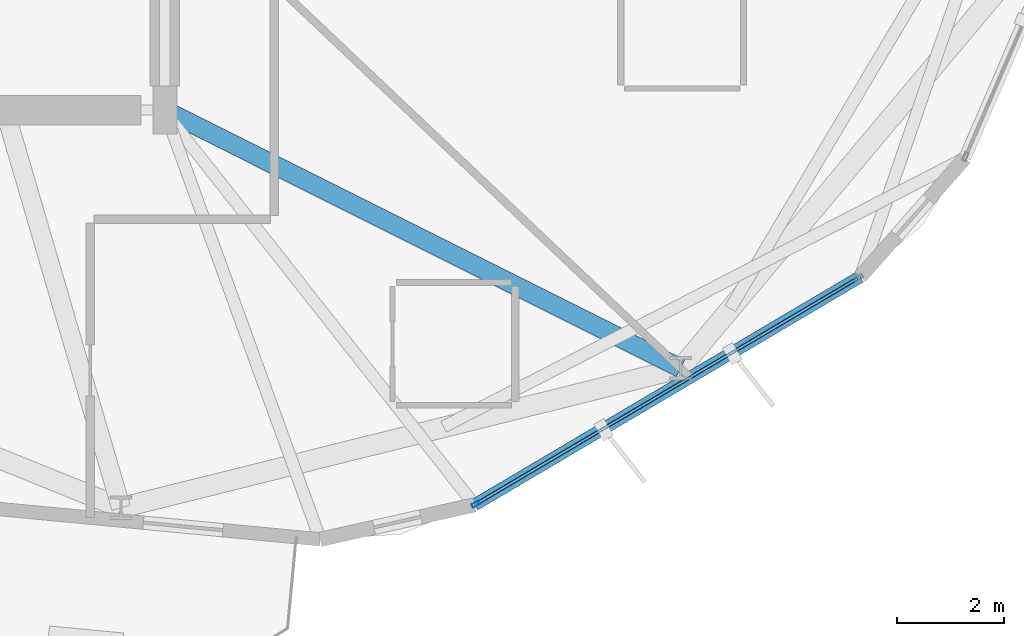
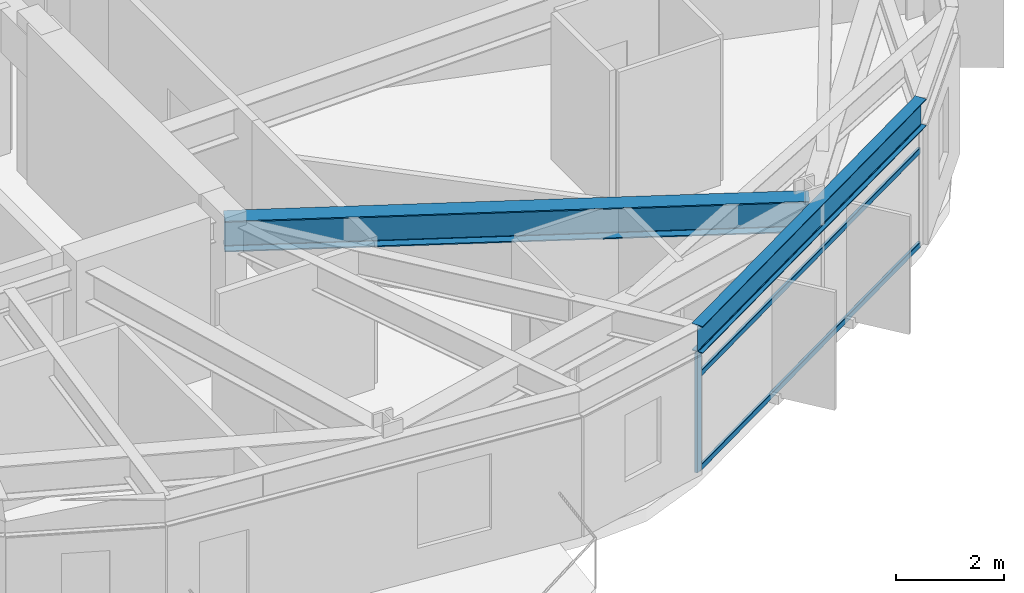
# One storey, part 4 of 21: 4 members, 2 beams, 1 element without a shape of its own.
"""IFC4 building model written with IfcOpenShell, lengths in metres."""

from ifc_helpers import new_model, si_unit, direction, frame, origin, origin_2d, place, context, subcontext, project, spatial, hollow_rectangle, i_section, extrude, material, layer, layer_set, material_profile, profile_set, type_object, element, aggregate, save


model = new_model("IFC4")

# Units and contexts
model_context = context("Model", 3, precision=1e-05, world=origin(), true_north=direction((0.0, 1.0)))
body_context = subcontext(model_context, "Body", "Model", "MODEL_VIEW")
ifc_project = project(units=[si_unit("LENGTHUNIT", "METRE"), si_unit("AREAUNIT", "SQUARE_METRE"), si_unit("VOLUMEUNIT", "CUBIC_METRE"), si_unit("PLANEANGLEUNIT", "RADIAN"), si_unit("MASSUNIT", "GRAM", prefix="KILO")], contexts=[model_context])

# Site, building, storey
site_placement = place(None, origin())
site = spatial("IfcSite", under=ifc_project, at=site_placement, CompositionType="ELEMENT")
building_placement = place(site_placement, origin())
building = spatial("IfcBuilding", under=site, at=building_placement, Name="Soratama Intermodal Tower", CompositionType="ELEMENT")
storey_placement = place(building_placement, frame((0.0, 0.0, 146.199951171875)))
storey = spatial("IfcBuildingStorey", under=building, at=storey_placement, Name="L35", CompositionType="ELEMENT", Elevation=146.199951171875)

# Beams
ifc_material_1 = material(Name="Structural steel ASTM A992 Grade 50", Category="steel")
ifc_material_profile_1 = material_profile(ifc_material_1, i_section(OverallWidth=0.35498046875, OverallDepth=0.695068359375, WebThickness=0.015380859375, FlangeThickness=0.02490234375, FilletRadius=0.01611328125, at=origin_2d()), Name="W27X146")
ifc_profile_set_1 = profile_set([ifc_material_profile_1], Name="Structural steel ASTM A992 Grade 50")
beam_type_1 = type_object("IfcBeamType", Name="BM-RING-W27X146", PredefinedType="BEAM", material=ifc_profile_set_1)
beam_1_placement = place(storey_placement, frame((44.60009765625, 15.0, 2.95263671875), z_axis=(0.894273669201, -0.447520507434, 0.0), x_axis=(0.447520507434, 0.894273669201, 0.0)))
element("IfcBeam", 1, at=beam_1_placement, inside=storey, type_object=beam_type_1, Name="BM-L35-RAD-09", PredefinedType="BEAM", context=body_context, shape_type="SweptSolid", body=[
    extrude(i_section(OverallWidth=0.35498046875, OverallDepth=0.695068359375, WebThickness=0.015380859375, FlangeThickness=0.02490234375, FilletRadius=0.01611328125, at=origin_2d()), origin(), (0.0, 0.0, 1.0), 10.817626953125),
])
ifc_material_2 = material(Name="Structural steel ASTM A992 Grade 50", Category="steel")
ifc_material_profile_2 = material_profile(ifc_material_2, i_section(OverallWidth=0.22900390625, OverallDepth=0.612060546875, WebThickness=0.011962890625, FlangeThickness=0.01953125, FilletRadius=0.012939453125, at=origin_2d()), Name="W24X84")
ifc_profile_set_2 = profile_set([ifc_material_profile_2], Name="Structural steel ASTM A992 Grade 50")
beam_type_2 = type_object("IfcBeamType", Name="BM-SPN-W24X84", PredefinedType="SPANDREL", material=ifc_profile_set_2)
beam_2_placement = place(storey_placement, frame((50.409912109375, 7.595947265625, 2.994140625), z_axis=(0.860730448045, 0.509060994192, 0.0), x_axis=(-0.509060994192, 0.860730448045, 0.0)))
element("IfcBeam", 2, at=beam_2_placement, inside=storey, type_object=beam_type_2, Name="BS-L35-F08", PredefinedType="SPANDREL", context=body_context, shape_type="SweptSolid", body=[
    extrude(i_section(OverallWidth=0.22900390625, OverallDepth=0.612060546875, WebThickness=0.011962890625, FlangeThickness=0.01953125, FilletRadius=0.012939453125, at=origin_2d()), origin(), (0.0, 0.0, 1.0), 8.40576171875),
])

# Curtain wall, members
ifc_material_3 = material(Name="Double-glazed aluminium curtain wall", Category="aluminium")
ifc_layer = layer(ifc_material_3, 0.159912109375)
ifc_layer_set = layer_set([ifc_layer], Name="Double-glazed aluminium curtain wall")
curtain_wall_type = type_object("IfcCurtainWallType", Name="CW-SYS-4", PredefinedType="NOTDEFINED", material=ifc_layer_set)
curtain_wall_placement = place(storey_placement, origin())
curtain_wall = element("IfcCurtainWall", 3, at=curtain_wall_placement, inside=storey, type_object=curtain_wall_type, Name="L35 Faceted Curtain Wall F08", PredefinedType="NOTDEFINED")
ifc_material_4 = material(Name="Anodised aluminium AA 6063-T6", Category="aluminium")
ifc_material_profile_3 = material_profile(ifc_material_4, hollow_rectangle(XDim=0.070068359375, YDim=0.159912109375, WallThickness=0.0048828125, InnerFilletRadius=0.0048828125, OuterFilletRadius=0.010009765625, at=origin_2d()), Name="CWM160X70X5")
ifc_profile_set_3 = profile_set([ifc_material_profile_3], Name="Anodised aluminium AA 6063-T6")
member_type_1 = type_object("IfcMemberType", Name="MT-CWM-4", PredefinedType="MULLION", material=ifc_profile_set_3)
member_1_placement = place(storey_placement, frame((50.43603515625, 7.611572265625, 0.0), z_axis=(0.0, 0.0, 1.0), x_axis=(-0.509043939125, 0.860740534679, 0.0)))
member_1 = element("IfcMember", 4, at=member_1_placement, type_object=member_type_1, Name="CW-4 mullion 1", PredefinedType="MULLION", context=body_context, shape_type="SweptSolid", body=[
    extrude(hollow_rectangle(XDim=0.070068359375, YDim=0.159912109375, WallThickness=0.0048828125, InnerFilletRadius=0.0048828125, OuterFilletRadius=0.010009765625, at=origin_2d()), origin(), (0.0, 0.0, 1.0), 2.678955078125),
])
ifc_material_5 = material(Name="Anodised aluminium AA 6063-T6", Category="aluminium")
ifc_material_profile_4 = material_profile(ifc_material_5, hollow_rectangle(XDim=0.06005859375, YDim=0.1298828125, WallThickness=0.0048828125, InnerFilletRadius=0.0048828125, OuterFilletRadius=0.010009765625, at=origin_2d()), Name="CWT130X60X5")
ifc_profile_set_4 = profile_set([ifc_material_profile_4], Name="Anodised aluminium AA 6063-T6")
member_type_2 = type_object("IfcMemberType", Name="TT-CWT-2", PredefinedType="USERDEFINED", material=ifc_profile_set_4)
member_2_placement = place(storey_placement, frame((50.461669921875, 7.626953125, 0.030029296875), z_axis=(0.860751656725, 0.50902513243, 0.0), x_axis=(-0.50902513243, 0.860751656725, 0.0)))
member_2 = element("IfcMember", 5, at=member_2_placement, type_object=member_type_2, Name="CW-4 transom 1.1", ObjectType="TRANSOM", PredefinedType="USERDEFINED", context=body_context, shape_type="SweptSolid", body=[
    extrude(hollow_rectangle(XDim=0.06005859375, YDim=0.1298828125, WallThickness=0.0048828125, InnerFilletRadius=0.0048828125, OuterFilletRadius=0.010009765625, at=origin_2d()), origin(), (0.0, 0.0, 1.0), 8.284912109375),
])
member_3_placement = place(storey_placement, frame((50.461669921875, 7.626953125, 2.150146484375), z_axis=(0.860751656725, 0.50902513243, 0.0), x_axis=(-0.50902513243, 0.860751656725, 0.0)))
member_3 = element("IfcMember", 6, at=member_3_placement, type_object=member_type_2, Name="CW-4 transom 1.2", ObjectType="TRANSOM", PredefinedType="USERDEFINED", context=body_context, shape_type="SweptSolid", body=[
    extrude(hollow_rectangle(XDim=0.06005859375, YDim=0.1298828125, WallThickness=0.0048828125, InnerFilletRadius=0.0048828125, OuterFilletRadius=0.010009765625, at=origin_2d()), origin(), (0.0, 0.0, 1.0), 8.284912109375),
])
member_4_placement = place(storey_placement, frame((50.461669921875, 7.626953125, 2.649169921875), z_axis=(0.860751656725, 0.50902513243, 0.0), x_axis=(-0.50902513243, 0.860751656725, 0.0)))
member_4 = element("IfcMember", 7, at=member_4_placement, type_object=member_type_2, Name="CW-4 transom 1.3", ObjectType="TRANSOM", PredefinedType="USERDEFINED", context=body_context, shape_type="SweptSolid", body=[
    extrude(hollow_rectangle(XDim=0.06005859375, YDim=0.1298828125, WallThickness=0.0048828125, InnerFilletRadius=0.0048828125, OuterFilletRadius=0.010009765625, at=origin_2d()), origin(), (0.0, 0.0, 1.0), 8.284912109375),
])
aggregate(curtain_wall, [member_1, member_2, member_3, member_4])

save(model, "model.ifc")
